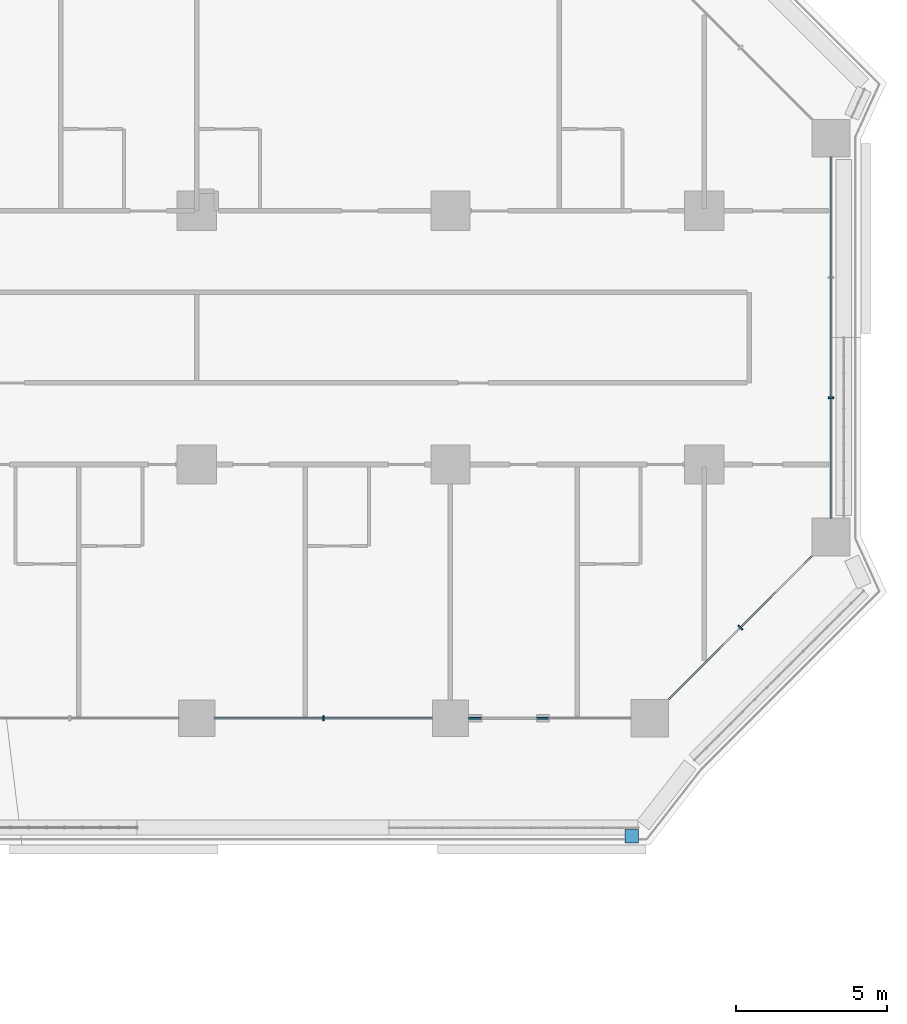
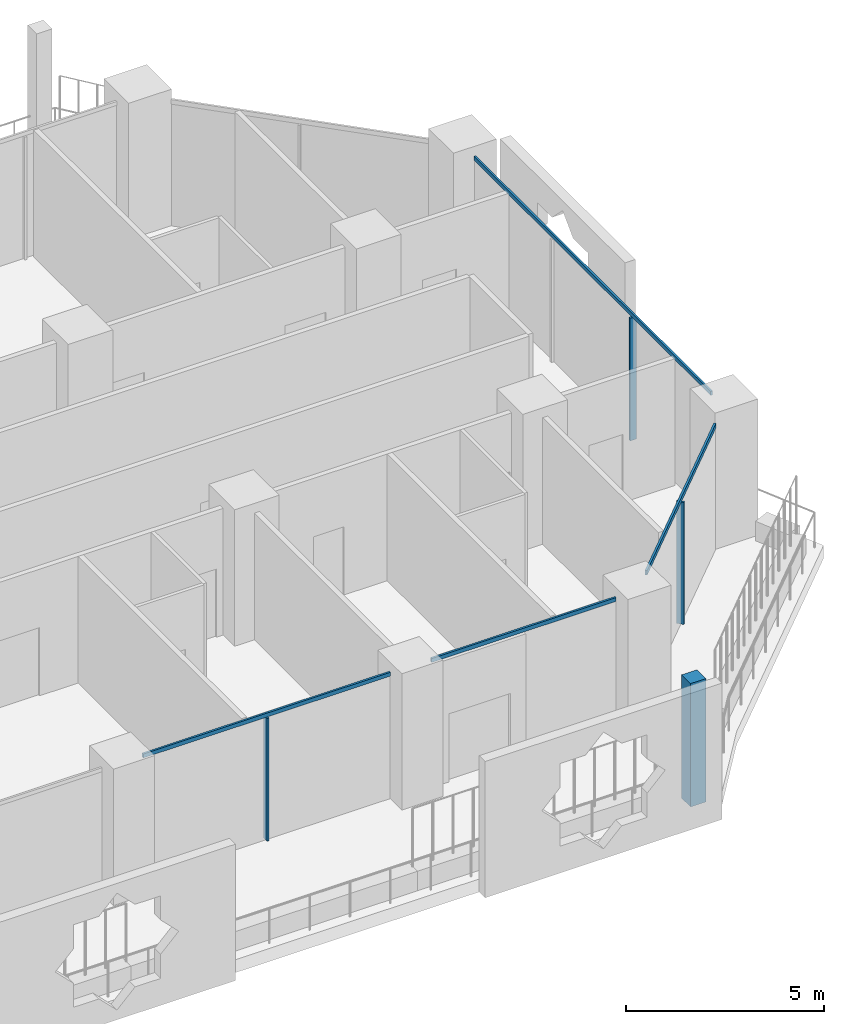
# One storey, part 7 of 28: 8 members, 4 elements without a shape of their own.
"""IFC4 building model written with IfcOpenShell, lengths in metres."""

from ifc_helpers import new_model, si_unit, direction, frame, origin, origin_2d, place, context, subcontext, project, spatial, rectangle, extrude, material, layer, layer_set, material_profile, profile_set, type_object, element, aggregate, save


model = new_model("IFC4")

# Units and contexts
model_context = context("Model", 3, precision=1e-05, world=origin(), true_north=direction((0.0, 1.0)))
body_context = subcontext(model_context, "Body", "Model", "MODEL_VIEW")
ifc_project = project(units=[si_unit("LENGTHUNIT", "METRE"), si_unit("AREAUNIT", "SQUARE_METRE"), si_unit("VOLUMEUNIT", "CUBIC_METRE"), si_unit("PLANEANGLEUNIT", "RADIAN"), si_unit("MASSUNIT", "GRAM", prefix="KILO")], contexts=[model_context])

# Site, building, storey
site_placement = place(None, origin())
site = spatial("IfcSite", under=ifc_project, at=site_placement, CompositionType="ELEMENT")
building_placement = place(site_placement, origin())
building = spatial("IfcBuilding", under=site, at=building_placement, Name="Kawkab Arch Medical Tower", CompositionType="ELEMENT")
storey_placement = place(building_placement, frame((0.0, 0.0, 81.199951171875)))
storey = spatial("IfcBuildingStorey", under=building, at=storey_placement, Name="L18", CompositionType="ELEMENT", Elevation=81.199951171875)

# Curtain wall, member
ifc_material_1 = material(Name="Bronze anodised aluminium curtain wall frame", Category="aluminium")
ifc_layer_1 = layer(ifc_material_1, 0.159912109375)
ifc_layer_set_1 = layer_set([ifc_layer_1], Name="Bronze anodised aluminium curtain wall frame")
curtain_wall_type_1 = type_object("IfcCurtainWallType", Name="CW1 ward curtain wall", PredefinedType="NOTDEFINED", material=ifc_layer_set_1)
placement = place(storey_placement, origin())
curtain_wall_1 = element("IfcCurtainWall", 1, at=placement, inside=storey, type_object=curtain_wall_type_1, Name="CW1 Ward curtain wall R07", PredefinedType="NOTDEFINED")
ifc_material_2 = material(Name="Bronze anodised aluminium curtain wall frame", Category="aluminium")
ifc_material_profile_1 = material_profile(ifc_material_2, rectangle(XDim=0.179931640625, YDim=0.06005859375, at=origin_2d()), Name="AL 60x180")
ifc_profile_set_1 = profile_set([ifc_material_profile_1], Name="Bronze anodised aluminium curtain wall frame")
member_type_1 = type_object("IfcMemberType", Name="CW1 mullion 60 x 180", PredefinedType="MULLION", material=ifc_profile_set_1)
member_1_placement = place(storey_placement, frame((63.0, -25.199951171875, 0.0), z_axis=(0.0, 0.0, 1.0), x_axis=(0.0, 1.0, 0.0)))
member_1 = element("IfcMember", 2, at=member_1_placement, type_object=member_type_1, Name="CW1 mullion 4.1", PredefinedType="MULLION", context=body_context, shape_type="SweptSolid", body=[
    extrude(rectangle(XDim=0.179931640625, YDim=0.06005859375, at=origin_2d()), origin(), (0.0, 0.0, 1.0), 3.780029296875),
])

curtain_wall_2 = element("IfcCurtainWall", 3, at=placement, inside=storey, type_object=curtain_wall_type_1, Name="CW1 Ward curtain wall R09", PredefinedType="NOTDEFINED")
member_2_placement = place(storey_placement, frame((79.800048828125, -14.591552734375, 0.0), z_axis=(0.0, 0.0, 1.0), x_axis=(-1.0, 0.0, 0.0)))
member_2 = element("IfcMember", 4, at=member_2_placement, type_object=member_type_1, Name="CW1 mullion 1.1", PredefinedType="MULLION", context=body_context, shape_type="SweptSolid", body=[
    extrude(rectangle(XDim=0.179931640625, YDim=0.06005859375, at=origin_2d()), origin(), (0.0, 0.0, 1.0), 3.780029296875),
])

# Member
ifc_material_3 = material(Name="Bronze anodised aluminium curtain wall frame", Category="aluminium")
ifc_material_profile_2 = material_profile(ifc_material_3, rectangle(XDim=0.06005859375, YDim=0.1201171875, at=origin_2d()), Name="AL 60x120")
ifc_profile_set_2 = profile_set([ifc_material_profile_2], Name="Bronze anodised aluminium curtain wall frame")
member_type_2 = type_object("IfcMemberType", Name="CW1 transom 120 x 60", PredefinedType="USERDEFINED", material=ifc_profile_set_2)
member_3_placement = place(storey_placement, frame((59.39990234375, -25.199951171875, 3.840087890625), z_axis=(1.0, 0.0, 0.0), x_axis=(0.0, 1.0, 0.0)))
member_3 = element("IfcMember", 5, at=member_3_placement, type_object=member_type_2, Name="CW1 transom 4", ObjectType="TRANSOM", PredefinedType="USERDEFINED", context=body_context, shape_type="SweptSolid", body=[
    extrude(rectangle(XDim=0.06005859375, YDim=0.1201171875, at=origin_2d()), origin(), (0.0, 0.0, 1.0), 7.2001953125),
])

member_4_placement = place(storey_placement, frame((67.800048828125, -25.199951171875, 3.840087890625), z_axis=(1.0, 0.0, 0.0), x_axis=(0.0, 1.0, 0.0)))
member_4 = element("IfcMember", 6, at=member_4_placement, type_object=member_type_2, Name="CW1 transom 5", ObjectType="TRANSOM", PredefinedType="USERDEFINED", context=body_context, shape_type="SweptSolid", body=[
    extrude(rectangle(XDim=0.06005859375, YDim=0.1201171875, at=origin_2d()), origin(), (0.0, 0.0, 1.0), 5.375),
])

aggregate(curtain_wall_1, [member_3, member_1, member_4])

member_5_placement = place(storey_placement, frame((79.800048828125, -18.574951171875, 3.840087890625), z_axis=(0.0, 1.0, 0.0), x_axis=(-1.0, 0.0, 0.0)))
member_5 = element("IfcMember", 7, at=member_5_placement, type_object=member_type_2, Name="CW1 transom 1", ObjectType="TRANSOM", PredefinedType="USERDEFINED", context=body_context, shape_type="SweptSolid", body=[
    extrude(rectangle(XDim=0.06005859375, YDim=0.1201171875, at=origin_2d()), origin(), (0.0, 0.0, 1.0), 11.949951171875),
])

aggregate(curtain_wall_2, [member_5, member_2])

# Curtain wall, members
ifc_material_4 = material(Name="Bronze anodised aluminium curtain wall frame", Category="aluminium")
ifc_layer_2 = layer(ifc_material_4, 0.159912109375)
ifc_layer_set_2 = layer_set([ifc_layer_2], Name="Bronze anodised aluminium curtain wall frame")
curtain_wall_type_2 = type_object("IfcCurtainWallType", Name="CW2 chamfer curtain wall", PredefinedType="NOTDEFINED", material=ifc_layer_set_2)
curtain_wall_3 = element("IfcCurtainWall", 8, at=placement, inside=storey, type_object=curtain_wall_type_2, Name="CW2 Chamfer curtain wall R08", PredefinedType="NOTDEFINED")
ifc_material_5 = material(Name="Bronze anodised aluminium curtain wall frame", Category="aluminium")
ifc_material_profile_3 = material_profile(ifc_material_5, rectangle(XDim=0.199951171875, YDim=0.06005859375, at=origin_2d()), Name="AL 60x200")
ifc_profile_set_3 = profile_set([ifc_material_profile_3], Name="Bronze anodised aluminium curtain wall frame")
member_type_3 = type_object("IfcMemberType", Name="CW2 mullion 60 x 200", PredefinedType="MULLION", material=ifc_profile_set_3)
member_6_placement = place(storey_placement, frame((76.800048828125, -22.199951171875, 0.0), z_axis=(0.0, 0.0, 1.0), x_axis=(-0.707106781187, 0.707106781187, 0.0)))
member_6 = element("IfcMember", 9, at=member_6_placement, type_object=member_type_3, Name="CW2 mullion 1.1", PredefinedType="MULLION", context=body_context, shape_type="SweptSolid", body=[
    extrude(rectangle(XDim=0.199951171875, YDim=0.06005859375, at=origin_2d()), origin(), (0.0, 0.0, 1.0), 3.760009765625),
])
ifc_material_6 = material(Name="Bronze anodised aluminium curtain wall frame", Category="aluminium")
ifc_material_profile_4 = material_profile(ifc_material_6, rectangle(XDim=0.06005859375, YDim=0.139892578125, at=origin_2d()), Name="AL 60x140")
ifc_profile_set_4 = profile_set([ifc_material_profile_4], Name="Bronze anodised aluminium curtain wall frame")
member_type_4 = type_object("IfcMemberType", Name="CW2 transom 140 x 60", PredefinedType="USERDEFINED", material=ifc_profile_set_4)
member_7_placement = place(storey_placement, frame((74.425048828125, -24.574951171875, 3.830078125), z_axis=(0.707106781187, 0.707106781187, 0.0), x_axis=(-0.707106781187, 0.707106781187, 0.0)))
member_7 = element("IfcMember", 10, at=member_7_placement, type_object=member_type_4, Name="CW2 transom 1", ObjectType="TRANSOM", PredefinedType="USERDEFINED", context=body_context, shape_type="SweptSolid", body=[
    extrude(rectangle(XDim=0.06005859375, YDim=0.139892578125, at=origin_2d()), origin(), (0.0, 0.0, 1.0), 6.717529296875),
])
aggregate(curtain_wall_3, [member_7, member_6])

# Curtain wall, member
ifc_material_7 = material(Name="Bronze anodised aluminium climber frame, planted", Category="aluminium")
ifc_layer_3 = layer(ifc_material_7, 0.449951171875)
ifc_layer_set_3 = layer_set([ifc_layer_3], Name="Bronze anodised aluminium climber frame, planted")
curtain_wall_type_3 = type_object("IfcCurtainWallType", Name="Planted climber frame", PredefinedType="NOTDEFINED", material=ifc_layer_set_3)
curtain_wall_4 = element("IfcCurtainWall", 11, at=placement, inside=storey, type_object=curtain_wall_type_3, Name="Planted climber frame L18", PredefinedType="NOTDEFINED")
ifc_material_8 = material(Name="Bronze anodised aluminium climber frame, planted", Category="aluminium")
ifc_material_profile_5 = material_profile(ifc_material_8, rectangle(XDim=0.449951171875, YDim=0.449951171875, at=origin_2d()), Name="Post 450x450")
ifc_profile_set_5 = profile_set([ifc_material_profile_5], Name="Bronze anodised aluminium climber frame, planted")
member_type_5 = type_object("IfcMemberType", Name="Planted climber post 450 x 450", PredefinedType="MULLION", material=ifc_profile_set_5)
member_8_placement = place(storey_placement, frame((73.202880859375, -29.10009765625, 0.0), z_axis=(0.0, 0.0, 1.0), x_axis=(1.0, 0.0, 0.0)))
member_8 = element("IfcMember", 12, at=member_8_placement, type_object=member_type_5, Name="Planted climber post L18.LOG-01-01.5", PredefinedType="MULLION", context=body_context, shape_type="SweptSolid", body=[
    extrude(rectangle(XDim=0.449951171875, YDim=0.449951171875, at=origin_2d()), origin(), (0.0, 0.0, 1.0), 3.800048828125),
])
aggregate(curtain_wall_4, [member_8])

save(model, "model.ifc")
